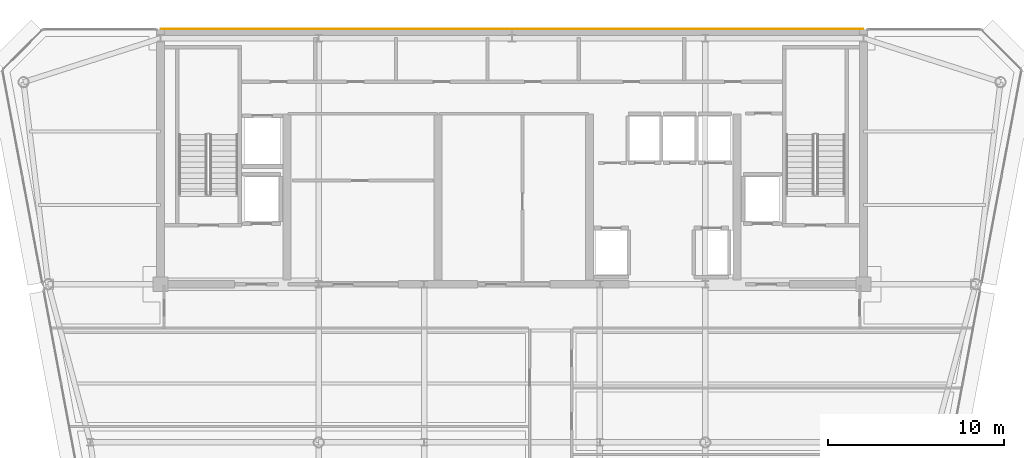
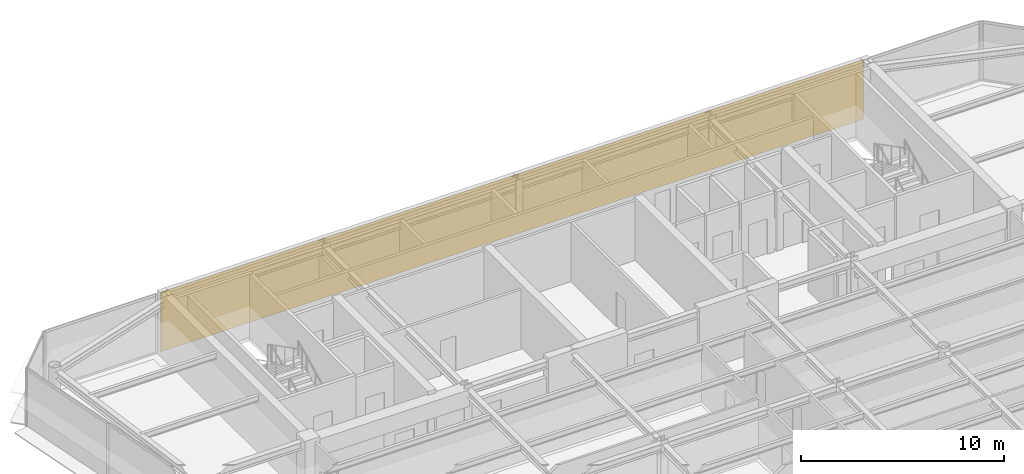
# One storey, part 19 of 20: 1 covering.
"""IFC4 building model written with IfcOpenShell, lengths in metres."""

import ifcopenshell
import ifcopenshell.guid

model = None  # the IFC model being written
_history = None  # IfcOwnerHistory: only IFC2X3 demands one
_inside = {}  # id of a spatial element -> (the spatial element, [elements in it])
_under = {}  # id of a project, library or spatial element -> (it, [spatial elements below it])
_declared = {}  # id of a project -> (the project, [libraries it declares])
_typed = {}  # id of a type object -> (the type object, [elements of that type])
_made_of = {}  # id of a material, layer set ... -> (it, [elements and type objects made of it])


def new_model(schema):
    """Start an empty IFC model of exactly this schema.

    Asked for "IFC4X3", IfcOpenShell would pick the latest addendum, in which some entities
    have other attributes; the version numbers below select the first issue.
    IFC2X3 requires an IfcOwnerHistory on every rooted entity: one is made here for all.
    """
    global model, _history
    if schema == "IFC4X3":
        model = ifcopenshell.file(schema_version=(4, 3, 0, 0))
    else:
        model = ifcopenshell.file(schema=schema)
    _inside.clear()
    _under.clear()
    _declared.clear()
    _typed.clear()
    _made_of.clear()
    _history = None
    if model.schema == "IFC2X3":
        org = make("IfcOrganization", Name="unknown")
        user = make(
            "IfcPersonAndOrganization",
            ThePerson=make("IfcPerson", FamilyName="unknown"),
            TheOrganization=org,
        )
        app = make(
            "IfcApplication",
            ApplicationDeveloper=org,
            Version="unknown",
            ApplicationFullName="unknown",
            ApplicationIdentifier="unknown",
        )
        _history = make(
            "IfcOwnerHistory",
            OwningUser=user,
            OwningApplication=app,
            ChangeAction="ADDED",
            CreationDate=0,
        )
    return model


def make(cls, **values):
    """One entity of the class cls with the attributes given. An attribute that is None is left unset."""
    return model.create_entity(
        cls, **{name: value for name, value in values.items() if value is not None}
    )


def rooted(cls, **values):
    """An entity with a GlobalId (a new one), such as an element, a storey or a relation."""
    return make(cls, GlobalId=ifcopenshell.guid.new(), OwnerHistory=_history, **values)


def si_unit(unit_type, name, prefix=None):
    """IfcSIUnit, for example si_unit("LENGTHUNIT", "METRE", prefix="MILLI")."""
    return make("IfcSIUnit", UnitType=unit_type, Prefix=prefix, Name=name)


def assignment(units):
    """IfcUnitAssignment: the units of a project."""
    return None if units is None else make("IfcUnitAssignment", Units=units)


def point(xyz):
    """IfcCartesianPoint."""
    return None if xyz is None else make("IfcCartesianPoint", Coordinates=xyz)


def direction(xyz):
    """IfcDirection."""
    return None if xyz is None else make("IfcDirection", DirectionRatios=xyz)


def frame(location, z_axis=None, x_axis=None):
    """IfcAxis2Placement3D, a coordinate frame: its origin and axes. An axis left out is left unset."""
    return make(
        "IfcAxis2Placement3D",
        Location=point(location),
        Axis=direction(z_axis),
        RefDirection=direction(x_axis),
    )


def origin():
    """The frame at (0, 0, 0) with its axes left unset."""
    return frame((0.0, 0.0, 0.0))


def place(relative_to, where):
    """IfcLocalPlacement: puts the frame where relative to a parent placement (None: the world)."""
    return make(
        "IfcLocalPlacement", PlacementRelTo=relative_to, RelativePlacement=where
    )


def context(
    kind, dimensions, precision=None, world=None, true_north=None, identifier=None
):
    """IfcGeometricRepresentationContext, for example the 3D "Model" context."""
    return make(
        "IfcGeometricRepresentationContext",
        ContextIdentifier=identifier,
        ContextType=kind,
        CoordinateSpaceDimension=dimensions,
        Precision=precision,
        WorldCoordinateSystem=world,
        TrueNorth=true_north,
    )


def subcontext(parent, identifier, kind, view, scale=None):
    """IfcGeometricRepresentationSubContext, for example "Body" below "Model"."""
    return make(
        "IfcGeometricRepresentationSubContext",
        ContextIdentifier=identifier,
        ContextType=kind,
        ParentContext=parent,
        TargetScale=scale,
        TargetView=view,
    )


def project(units=None, contexts=None):
    """IfcProject with its units and contexts."""
    return rooted(
        "IfcProject",
        Name="project",
        RepresentationContexts=contexts,
        UnitsInContext=assignment(units),
    )


def spatial(cls, under=None, at=None, **own):
    """A site, building, storey or space (cls), placed at a placement, below another one or the project."""
    s = rooted(cls, ObjectPlacement=at, **own)
    if under is not None:
        _under.setdefault(under.id(), (under, []))[1].append(s)
    return s


def polyline(points):
    """IfcPolyline through the points."""
    return make("IfcPolyline", Points=[point(p) for p in points])


def outline(outer, holes=None, kind="AREA"):
    """IfcArbitraryClosedProfileDef: a profile drawn as a closed curve; with holes, ...WithVoids."""
    if holes is None:
        return make("IfcArbitraryClosedProfileDef", ProfileType=kind, OuterCurve=outer)
    return make(
        "IfcArbitraryProfileDefWithVoids",
        ProfileType=kind,
        OuterCurve=outer,
        InnerCurves=holes,
    )


def extrude(swept, where, along, depth):
    """IfcExtrudedAreaSolid: the profile swept, set in the frame where, extruded along a direction by depth."""
    return make(
        "IfcExtrudedAreaSolid",
        SweptArea=swept,
        Position=where,
        ExtrudedDirection=direction(along),
        Depth=depth,
    )


def shape(context_of_items, identifier, shape_type, items):
    """IfcShapeRepresentation: the items that make up one representation, for example the "Body"."""
    return make(
        "IfcShapeRepresentation",
        ContextOfItems=context_of_items,
        RepresentationIdentifier=identifier,
        RepresentationType=shape_type,
        Items=items,
    )


def material(Name=None, Category=None):
    """IfcMaterial."""
    return make("IfcMaterial", Name=Name, Category=Category)


def layer(
    of_material, thickness, ventilated=None, Name=None, Category=None, Priority=None
):
    """IfcMaterialLayer: one layer of a wall or slab, of a material (None: an air gap)."""
    return make(
        "IfcMaterialLayer",
        Material=of_material,
        LayerThickness=thickness,
        IsVentilated=ventilated,
        Name=Name,
        Category=Category,
        Priority=Priority,
    )


def layer_set(layers, Name=None):
    """IfcMaterialLayerSet."""
    return make("IfcMaterialLayerSet", MaterialLayers=layers, LayerSetName=Name)


def made_of(thing, what):
    """Note that an element or type object is made of a material, layer set ...; save() writes the relation."""
    if what is not None:
        _made_of.setdefault(what.id(), (what, []))[1].append(thing)
    return thing


def type_object(cls, material=None, **own):
    """A type object (cls), such as IfcWallType, which elements share."""
    return made_of(rooted(cls, **own), material)


def element(
    cls,
    number,
    at=None,
    inside=None,
    cuts=None,
    type_object=None,
    material=None,
    context=None,
    identifier="Body",
    shape_type=None,
    held_by="IfcProductDefinitionShape",
    body=None,
    shapes=None,
    **own,
):
    """One element of the class cls, such as IfcWall. Its Tag is "e" and its number.

    at: its placement. inside: the storey or other place that contains it. cuts: it is an
    opening in that element (IfcRelVoidsElement). A single representation is given by context,
    identifier, shape_type and body (its items); several are given by shapes. held_by: the class
    of the entity that holds the representations. save() writes the other relations.
    """
    e = rooted(cls, Tag="e%d" % number, ObjectPlacement=at, **own)
    if body is not None:
        shapes = [shape(context, identifier, shape_type, body)]
    if shapes is not None:
        e.Representation = make(held_by, Representations=shapes)
    if inside is not None:
        _inside.setdefault(inside.id(), (inside, []))[1].append(e)
    if cuts is not None:
        rooted(
            "IfcRelVoidsElement", RelatingBuildingElement=cuts, RelatedOpeningElement=e
        )
    if type_object is not None:
        _typed.setdefault(type_object.id(), (type_object, []))[1].append(e)
    return made_of(e, material)


def aggregate(whole, parts):
    """IfcRelAggregates: a whole, such as a stair, and the parts it consists of."""
    return rooted("IfcRelAggregates", RelatingObject=whole, RelatedObjects=parts)


def save(model, path):
    """Write the relations noted so far, then the file.

    IfcRelAggregates (storeys below a building ...), IfcRelContainedInSpatialStructure (elements
    in a storey), IfcRelDefinesByType, IfcRelAssociatesMaterial and IfcRelDeclares: one each for
    every whole, place, type object, material and project.
    """
    for whole, parts in _under.values():
        aggregate(whole, parts)
    for where, things in _inside.values():
        rooted(
            "IfcRelContainedInSpatialStructure",
            RelatedElements=things,
            RelatingStructure=where,
        )
    for kind, things in _typed.values():
        rooted("IfcRelDefinesByType", RelatedObjects=things, RelatingType=kind)
    for what, things in _made_of.values():
        rooted("IfcRelAssociatesMaterial", RelatedObjects=things, RelatingMaterial=what)
    for by, libraries in _declared.values():
        rooted("IfcRelDeclares", RelatingContext=by, RelatedDefinitions=libraries)
    model.write(path)


model = new_model("IFC4")

# Units and contexts
model_context = context("Model", 3, precision=1e-05, world=origin(), true_north=direction((0.0, 1.0)))
body_context = subcontext(model_context, "Body", "Model", "MODEL_VIEW")
ifc_project = project(units=[si_unit("LENGTHUNIT", "METRE"), si_unit("AREAUNIT", "SQUARE_METRE"), si_unit("VOLUMEUNIT", "CUBIC_METRE"), si_unit("PLANEANGLEUNIT", "RADIAN"), si_unit("MASSUNIT", "GRAM", prefix="KILO")], contexts=[model_context])

# Site, building, storey
site_placement = place(None, origin())
site = spatial("IfcSite", under=ifc_project, at=site_placement, CompositionType="ELEMENT")
building_placement = place(site_placement, origin())
building = spatial("IfcBuilding", under=site, at=building_placement, Name="Vaeldorn Concourse Tower", CompositionType="ELEMENT")
storey_placement = place(building_placement, frame((0.0, 0.0, 295.39990234375)))
storey = spatial("IfcBuildingStorey", under=building, at=storey_placement, Name="L76", CompositionType="ELEMENT", Elevation=295.39990234375)

# Covering
ifc_material = material(Name="Anodised Bronze Aluminium", Category="aluminium")
ifc_layer = layer(ifc_material, 0.050048828125)
ifc_layer_set = layer_set([ifc_layer], Name="Anodised Bronze Aluminium")
covering_type = type_object("IfcCoveringType", Name="COV-CLAD-BRONZE", PredefinedType="CLADDING", material=ifc_layer_set)
covering_placement = place(storey_placement, origin())
element("IfcCovering", 1, at=covering_placement, inside=storey, type_object=covering_type, Name="Rear Core Bronze Spandrel Cladding L76", PredefinedType="CLADDING", context=body_context, shape_type="SweptSolid", body=[
    extrude(outline(polyline([(14.0, 51.0), (54.0, 51.0), (54.0, 51.050048828125), (14.0, 51.050048828125), (14.0, 51.0)])), origin(), (0.0, 0.0, 1.0), 3.580078125),
])

save(model, "model.ifc")
